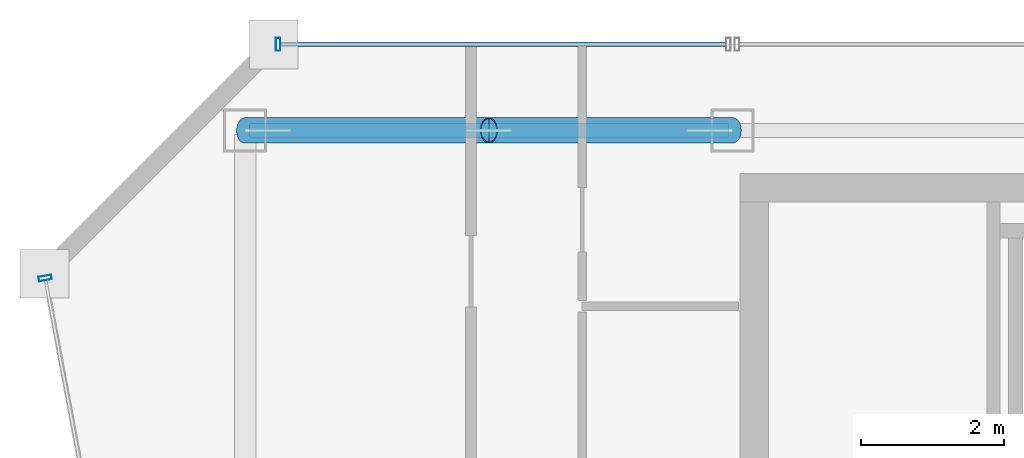
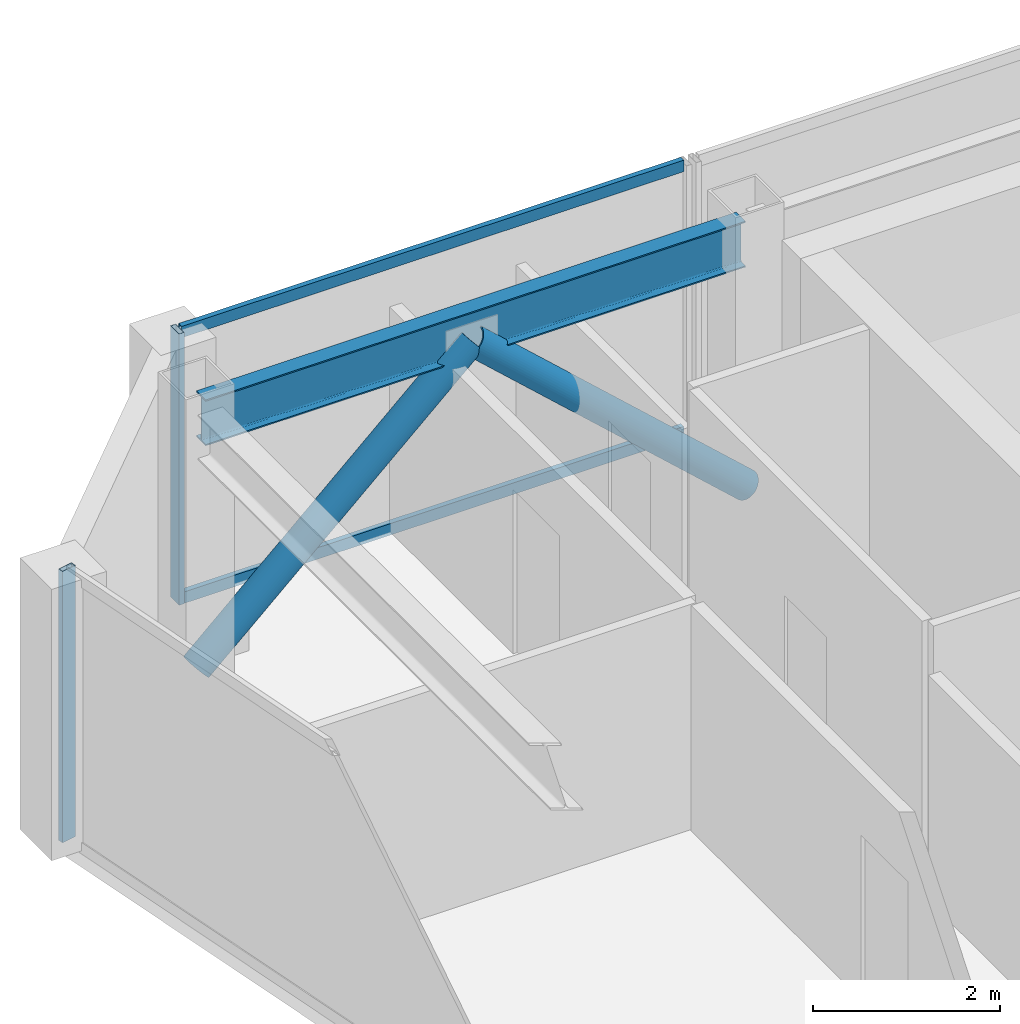
# One storey, part 9 of 23: 6 members, 1 beam, 2 elements without a shape of their own.
"""IFC4 building model written with IfcOpenShell, lengths in metres."""

from ifc_helpers import new_model, si_unit, direction, frame, origin, origin_2d, place, context, subcontext, project, spatial, hollow_rectangle, hollow_circle, i_section, extrude, material, material_profile, profile_set, type_object, element, aggregate, save


model = new_model("IFC4")

# Units and contexts
model_context = context("Model", 3, precision=1e-05, world=origin(), true_north=direction((0.0, 1.0)))
body_context = subcontext(model_context, "Body", "Model", "MODEL_VIEW")
ifc_project = project(units=[si_unit("LENGTHUNIT", "METRE"), si_unit("AREAUNIT", "SQUARE_METRE"), si_unit("VOLUMEUNIT", "CUBIC_METRE"), si_unit("PLANEANGLEUNIT", "RADIAN"), si_unit("MASSUNIT", "GRAM", prefix="KILO")], contexts=[model_context])

# Site, building, storey
site_placement = place(None, origin())
site = spatial("IfcSite", under=ifc_project, at=site_placement, CompositionType="ELEMENT")
building_placement = place(site_placement, origin())
building = spatial("IfcBuilding", under=site, at=building_placement, Name="Saevonmaru Cultural Tower", CompositionType="ELEMENT")
storey_placement = place(building_placement, frame((0.0, 0.0, 291.39990234375)))
storey = spatial("IfcBuildingStorey", under=building, at=storey_placement, Name="L69", CompositionType="ELEMENT", Elevation=291.39990234375)

# Beam
ifc_material_1 = material(Name="Steel SM355", Category="steel")
ifc_material_profile_1 = material_profile(ifc_material_1, i_section(OverallWidth=0.199951171875, OverallDepth=0.60009765625, WebThickness=0.010986328125, FlangeThickness=0.01708984375, FilletRadius=0.02197265625, at=origin_2d()), Name="H-600x200x11x17")
ifc_profile_set_1 = profile_set([ifc_material_profile_1], Name="Steel SM355")
beam_type = type_object("IfcBeamType", Name="BM-SP-H600", PredefinedType="SPANDREL", material=ifc_profile_set_1)
beam_placement = place(storey_placement, frame((6.860107421875, 54.800048828125, 3.25), z_axis=(1.0, 0.0, 0.0), x_axis=(0.0, 1.0, 0.0)))
element("IfcBeam", 1, at=beam_placement, inside=storey, type_object=beam_type, Name="L69 North Spine Girder 1", PredefinedType="SPANDREL", context=body_context, shape_type="SweptSolid", body=[
    extrude(i_section(OverallWidth=0.199951171875, OverallDepth=0.60009765625, WebThickness=0.010986328125, FlangeThickness=0.01708984375, FilletRadius=0.02197265625, at=origin_2d()), origin(), (0.0, 0.0, 1.0), 6.679931640625),
])

# Members
ifc_material_profile_2 = material_profile(ifc_material_1, hollow_circle(Radius=0.177734375, WallThickness=0.01611328125, at=origin_2d()), Name="CHS-355.6x16")
ifc_profile_set_2 = profile_set([ifc_material_profile_2], Name="Steel SM355")
member_type_1 = type_object("IfcMemberType", Name="MB-PBR-CHS356", PredefinedType="BRACE", material=ifc_profile_set_2)
member_1_placement = place(storey_placement, frame((6.800048828125, 54.800048828125, 0.02001953125), z_axis=(0.738935641579, 0.0, 0.673776014417), x_axis=(0.0, 1.0, 0.0)))
element("IfcMember", 2, at=member_1_placement, inside=storey, type_object=member_type_1, Name="L69 Perimeter Braced-Tube Diagonal WN1", PredefinedType="BRACE", context=body_context, shape_type="SweptSolid", body=[
    extrude(hollow_circle(Radius=0.177734375, WallThickness=0.01611328125, at=origin_2d()), origin(), (0.0, 0.0, 1.0), 4.60107421875),
])
member_2_placement = place(storey_placement, frame((13.60009765625, 54.800048828125, 0.02001953125), z_axis=(-0.738959728749, 0.0, 0.673749596873), x_axis=(0.0, -1.0, 0.0)))
element("IfcMember", 3, at=member_2_placement, inside=storey, type_object=member_type_1, Name="L69 Perimeter Braced-Tube Diagonal WN2", PredefinedType="BRACE", context=body_context, shape_type="SweptSolid", body=[
    extrude(hollow_circle(Radius=0.177734375, WallThickness=0.01611328125, at=origin_2d()), origin(), (0.0, 0.0, 1.0), 4.601318359375),
])

# Curtain wall, member
ifc_material_2 = material(Name="Satin Bronze Anodised Aluminium", Category="aluminium")
curtain_wall_type = type_object("IfcCurtainWallType", Name="CW-TYP-B", PredefinedType="NOTDEFINED", material=ifc_material_2)
curtain_wall_1_placement = place(storey_placement, origin())
curtain_wall_1 = element("IfcCurtainWall", 4, at=curtain_wall_1_placement, inside=storey, type_object=curtain_wall_type, Name="L69 West Braced Bay Spandrel Curtain Wall E10C", PredefinedType="NOTDEFINED")
ifc_material_profile_3 = material_profile(ifc_material_2, hollow_rectangle(XDim=0.06494140625, YDim=0.179931640625, WallThickness=0.00390625, at=origin_2d()), Name="ALU-MULL-180x65x4")
ifc_profile_set_3 = profile_set([ifc_material_profile_3], Name="Satin Bronze Anodised Aluminium")
member_type_2 = type_object("IfcMemberType", Name="ML-CW-180x65", PredefinedType="MULLION", material=ifc_profile_set_3)
member_3_placement = place(storey_placement, frame((7.260009765625, 56.0, 0.0), z_axis=(0.0, 0.0, 1.0), x_axis=(-1.0, 0.0, 0.0)))
member_3 = element("IfcMember", 5, at=member_3_placement, type_object=member_type_2, Name="CW-TW-L69-E10C mullion 2", PredefinedType="MULLION", context=body_context, shape_type="SweptSolid", body=[
    extrude(hollow_rectangle(XDim=0.06494140625, YDim=0.179931640625, WallThickness=0.00390625, at=origin_2d()), origin(), (0.0, 0.0, 1.0), 3.550048828125),
])

curtain_wall_2_placement = place(storey_placement, origin())
curtain_wall_2 = element("IfcCurtainWall", 6, at=curtain_wall_2_placement, inside=storey, type_object=curtain_wall_type, Name="L69 Unitised Curtain Wall E12", PredefinedType="NOTDEFINED")
member_4_placement = place(storey_placement, frame((4.010986328125, 52.740966796875, 0.0), z_axis=(0.0, 0.0, 1.0), x_axis=(0.184046528232, -0.982917532373, 0.0)))
member_4 = element("IfcMember", 7, at=member_4_placement, type_object=member_type_2, Name="CW-TW-L69-E12 mullion 1", PredefinedType="MULLION", context=body_context, shape_type="SweptSolid", body=[
    extrude(hollow_rectangle(XDim=0.06494140625, YDim=0.179931640625, WallThickness=0.00390625, at=origin_2d()), origin(), (0.0, 0.0, 1.0), 3.550048828125),
])
aggregate(curtain_wall_2, [member_4])

# Member
ifc_material_profile_4 = material_profile(ifc_material_2, hollow_rectangle(XDim=0.06494140625, YDim=0.14990234375, WallThickness=0.00390625, at=origin_2d()), Name="ALU-TRAN-150x65x4")
ifc_profile_set_4 = profile_set([ifc_material_profile_4], Name="Satin Bronze Anodised Aluminium")
member_type_3 = type_object("IfcMemberType", Name="TR-CW-150x65", PredefinedType="USERDEFINED", material=ifc_profile_set_4)
member_5_placement = place(storey_placement, frame((13.507568359375, 56.0, 0.03271484375), z_axis=(-1.0, 0.0, 0.0), x_axis=(0.0, -1.0, 0.0)))
member_5 = element("IfcMember", 8, at=member_5_placement, type_object=member_type_3, Name="CW-TW-L69-E10C transom 1.1", ObjectType="TRANSOM", PredefinedType="USERDEFINED", context=body_context, shape_type="SweptSolid", body=[
    extrude(hollow_rectangle(XDim=0.06494140625, YDim=0.14990234375, WallThickness=0.00390625, at=origin_2d()), origin(), (0.0, 0.0, 1.0), 6.215087890625),
])

member_6_placement = place(storey_placement, frame((13.507568359375, 56.0, 3.517578125), z_axis=(-1.0, 0.0, 0.0), x_axis=(0.0, -1.0, 0.0)))
member_6 = element("IfcMember", 9, at=member_6_placement, type_object=member_type_3, Name="CW-TW-L69-E10C transom 1.2", ObjectType="TRANSOM", PredefinedType="USERDEFINED", context=body_context, shape_type="SweptSolid", body=[
    extrude(hollow_rectangle(XDim=0.06494140625, YDim=0.14990234375, WallThickness=0.00390625, at=origin_2d()), origin(), (0.0, 0.0, 1.0), 6.215087890625),
])

aggregate(curtain_wall_1, [member_3, member_5, member_6])

save(model, "model.ifc")
